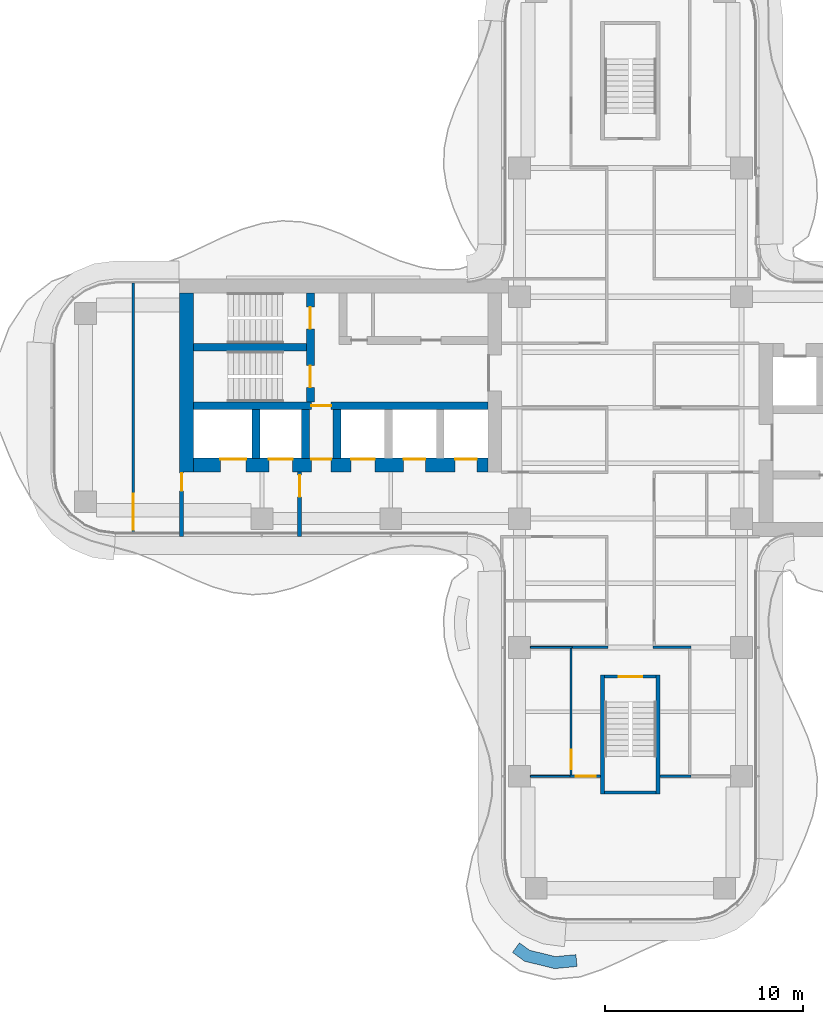
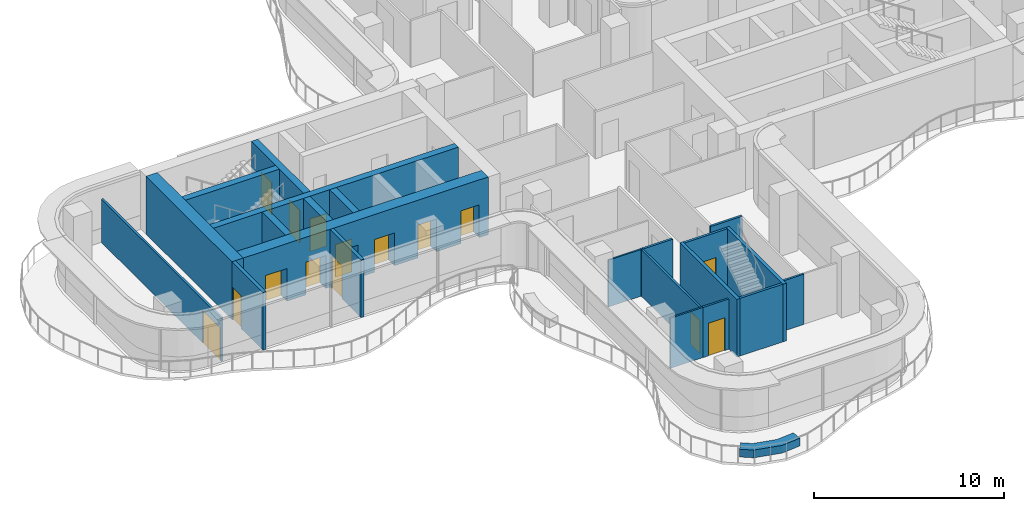
# One storey, part 14 of 19: 23 walls, 15 doors, 15 openings.
"""IFC4 building model written with IfcOpenShell, lengths in metres."""

import ifcopenshell
import ifcopenshell.guid

model = None  # the IFC model being written
_history = None  # IfcOwnerHistory: only IFC2X3 demands one
_inside = {}  # id of a spatial element -> (the spatial element, [elements in it])
_under = {}  # id of a project, library or spatial element -> (it, [spatial elements below it])
_declared = {}  # id of a project -> (the project, [libraries it declares])
_typed = {}  # id of a type object -> (the type object, [elements of that type])
_made_of = {}  # id of a material, layer set ... -> (it, [elements and type objects made of it])


def new_model(schema):
    """Start an empty IFC model of exactly this schema.

    Asked for "IFC4X3", IfcOpenShell would pick the latest addendum, in which some entities
    have other attributes; the version numbers below select the first issue.
    IFC2X3 requires an IfcOwnerHistory on every rooted entity: one is made here for all.
    """
    global model, _history
    if schema == "IFC4X3":
        model = ifcopenshell.file(schema_version=(4, 3, 0, 0))
    else:
        model = ifcopenshell.file(schema=schema)
    _inside.clear()
    _under.clear()
    _declared.clear()
    _typed.clear()
    _made_of.clear()
    _history = None
    if model.schema == "IFC2X3":
        org = make("IfcOrganization", Name="unknown")
        user = make(
            "IfcPersonAndOrganization",
            ThePerson=make("IfcPerson", FamilyName="unknown"),
            TheOrganization=org,
        )
        app = make(
            "IfcApplication",
            ApplicationDeveloper=org,
            Version="unknown",
            ApplicationFullName="unknown",
            ApplicationIdentifier="unknown",
        )
        _history = make(
            "IfcOwnerHistory",
            OwningUser=user,
            OwningApplication=app,
            ChangeAction="ADDED",
            CreationDate=0,
        )
    return model


def make(cls, **values):
    """One entity of the class cls with the attributes given. An attribute that is None is left unset."""
    return model.create_entity(
        cls, **{name: value for name, value in values.items() if value is not None}
    )


def rooted(cls, **values):
    """An entity with a GlobalId (a new one), such as an element, a storey or a relation."""
    return make(cls, GlobalId=ifcopenshell.guid.new(), OwnerHistory=_history, **values)


def si_unit(unit_type, name, prefix=None):
    """IfcSIUnit, for example si_unit("LENGTHUNIT", "METRE", prefix="MILLI")."""
    return make("IfcSIUnit", UnitType=unit_type, Prefix=prefix, Name=name)


def assignment(units):
    """IfcUnitAssignment: the units of a project."""
    return None if units is None else make("IfcUnitAssignment", Units=units)


def point(xyz):
    """IfcCartesianPoint."""
    return None if xyz is None else make("IfcCartesianPoint", Coordinates=xyz)


def direction(xyz):
    """IfcDirection."""
    return None if xyz is None else make("IfcDirection", DirectionRatios=xyz)


def frame(location, z_axis=None, x_axis=None):
    """IfcAxis2Placement3D, a coordinate frame: its origin and axes. An axis left out is left unset."""
    return make(
        "IfcAxis2Placement3D",
        Location=point(location),
        Axis=direction(z_axis),
        RefDirection=direction(x_axis),
    )


def frame_2d(location, x_axis=None):
    """IfcAxis2Placement2D, a coordinate frame in the plane: its origin and x axis."""
    return make(
        "IfcAxis2Placement2D", Location=point(location), RefDirection=direction(x_axis)
    )


def origin():
    """The frame at (0, 0, 0) with its axes left unset."""
    return frame((0.0, 0.0, 0.0))


def place(relative_to, where):
    """IfcLocalPlacement: puts the frame where relative to a parent placement (None: the world)."""
    return make(
        "IfcLocalPlacement", PlacementRelTo=relative_to, RelativePlacement=where
    )


def context(
    kind, dimensions, precision=None, world=None, true_north=None, identifier=None
):
    """IfcGeometricRepresentationContext, for example the 3D "Model" context."""
    return make(
        "IfcGeometricRepresentationContext",
        ContextIdentifier=identifier,
        ContextType=kind,
        CoordinateSpaceDimension=dimensions,
        Precision=precision,
        WorldCoordinateSystem=world,
        TrueNorth=true_north,
    )


def subcontext(parent, identifier, kind, view, scale=None):
    """IfcGeometricRepresentationSubContext, for example "Body" below "Model"."""
    return make(
        "IfcGeometricRepresentationSubContext",
        ContextIdentifier=identifier,
        ContextType=kind,
        ParentContext=parent,
        TargetScale=scale,
        TargetView=view,
    )


def project(units=None, contexts=None):
    """IfcProject with its units and contexts."""
    return rooted(
        "IfcProject",
        Name="project",
        RepresentationContexts=contexts,
        UnitsInContext=assignment(units),
    )


def spatial(cls, under=None, at=None, **own):
    """A site, building, storey or space (cls), placed at a placement, below another one or the project."""
    s = rooted(cls, ObjectPlacement=at, **own)
    if under is not None:
        _under.setdefault(under.id(), (under, []))[1].append(s)
    return s


def polyline(points):
    """IfcPolyline through the points."""
    return make("IfcPolyline", Points=[point(p) for p in points])


def profile(cls, at=None, kind="AREA", **sizes):
    """A parametric profile (cls). Its sizes go by their IFC names, for example OverallWidth=200.0."""
    return make(cls, ProfileType=kind, Position=at, **sizes)


def rectangle(**sizes):
    """IfcRectangleProfileDef."""
    return profile("IfcRectangleProfileDef", **sizes)


def outline(outer, holes=None, kind="AREA"):
    """IfcArbitraryClosedProfileDef: a profile drawn as a closed curve; with holes, ...WithVoids."""
    if holes is None:
        return make("IfcArbitraryClosedProfileDef", ProfileType=kind, OuterCurve=outer)
    return make(
        "IfcArbitraryProfileDefWithVoids",
        ProfileType=kind,
        OuterCurve=outer,
        InnerCurves=holes,
    )


def extrude(swept, where, along, depth):
    """IfcExtrudedAreaSolid: the profile swept, set in the frame where, extruded along a direction by depth."""
    return make(
        "IfcExtrudedAreaSolid",
        SweptArea=swept,
        Position=where,
        ExtrudedDirection=direction(along),
        Depth=depth,
    )


def shape(context_of_items, identifier, shape_type, items):
    """IfcShapeRepresentation: the items that make up one representation, for example the "Body"."""
    return make(
        "IfcShapeRepresentation",
        ContextOfItems=context_of_items,
        RepresentationIdentifier=identifier,
        RepresentationType=shape_type,
        Items=items,
    )


def source(mapping_origin, context_of_items, identifier, shape_type, items):
    """IfcRepresentationMap: a shape defined once, which mapped items show again and again."""
    return make(
        "IfcRepresentationMap",
        MappingOrigin=mapping_origin,
        MappedRepresentation=shape(context_of_items, identifier, shape_type, items),
    )


def transform(
    local_origin,
    x_axis=None,
    y_axis=None,
    z_axis=None,
    scale=None,
    scale2=None,
    scale3=None,
    uniform=True,
):
    """IfcCartesianTransformationOperator3D, or its non-uniform kind. x_axis, y_axis, z_axis: its Axis1, 2, 3."""
    if uniform:
        return make(
            "IfcCartesianTransformationOperator3D",
            Axis1=direction(x_axis),
            Axis2=direction(y_axis),
            LocalOrigin=point(local_origin),
            Scale=scale,
            Axis3=direction(z_axis),
        )
    return make(
        "IfcCartesianTransformationOperator3DnonUniform",
        Axis1=direction(x_axis),
        Axis2=direction(y_axis),
        LocalOrigin=point(local_origin),
        Scale=scale,
        Axis3=direction(z_axis),
        Scale2=scale2,
        Scale3=scale3,
    )


def mapped(mapping_source, mapping_target):
    """IfcMappedItem: shows the shape of a source again, moved by a transform."""
    return make(
        "IfcMappedItem", MappingSource=mapping_source, MappingTarget=mapping_target
    )


def material(Name=None, Category=None):
    """IfcMaterial."""
    return make("IfcMaterial", Name=Name, Category=Category)


def layer(
    of_material, thickness, ventilated=None, Name=None, Category=None, Priority=None
):
    """IfcMaterialLayer: one layer of a wall or slab, of a material (None: an air gap)."""
    return make(
        "IfcMaterialLayer",
        Material=of_material,
        LayerThickness=thickness,
        IsVentilated=ventilated,
        Name=Name,
        Category=Category,
        Priority=Priority,
    )


def layer_set(layers, Name=None):
    """IfcMaterialLayerSet."""
    return make("IfcMaterialLayerSet", MaterialLayers=layers, LayerSetName=Name)


def made_of(thing, what):
    """Note that an element or type object is made of a material, layer set ...; save() writes the relation."""
    if what is not None:
        _made_of.setdefault(what.id(), (what, []))[1].append(thing)
    return thing


def type_object(cls, material=None, **own):
    """A type object (cls), such as IfcWallType, which elements share."""
    return made_of(rooted(cls, **own), material)


def element(
    cls,
    number,
    at=None,
    inside=None,
    cuts=None,
    type_object=None,
    material=None,
    context=None,
    identifier="Body",
    shape_type=None,
    held_by="IfcProductDefinitionShape",
    body=None,
    shapes=None,
    **own,
):
    """One element of the class cls, such as IfcWall. Its Tag is "e" and its number.

    at: its placement. inside: the storey or other place that contains it. cuts: it is an
    opening in that element (IfcRelVoidsElement). A single representation is given by context,
    identifier, shape_type and body (its items); several are given by shapes. held_by: the class
    of the entity that holds the representations. save() writes the other relations.
    """
    e = rooted(cls, Tag="e%d" % number, ObjectPlacement=at, **own)
    if body is not None:
        shapes = [shape(context, identifier, shape_type, body)]
    if shapes is not None:
        e.Representation = make(held_by, Representations=shapes)
    if inside is not None:
        _inside.setdefault(inside.id(), (inside, []))[1].append(e)
    if cuts is not None:
        rooted(
            "IfcRelVoidsElement", RelatingBuildingElement=cuts, RelatedOpeningElement=e
        )
    if type_object is not None:
        _typed.setdefault(type_object.id(), (type_object, []))[1].append(e)
    return made_of(e, material)


def fill(opening, filler):
    """IfcRelFillsElement: the door or window that sits in an opening."""
    return rooted(
        "IfcRelFillsElement",
        RelatingOpeningElement=opening,
        RelatedBuildingElement=filler,
    )


def aggregate(whole, parts):
    """IfcRelAggregates: a whole, such as a stair, and the parts it consists of."""
    return rooted("IfcRelAggregates", RelatingObject=whole, RelatedObjects=parts)


def save(model, path):
    """Write the relations noted so far, then the file.

    IfcRelAggregates (storeys below a building ...), IfcRelContainedInSpatialStructure (elements
    in a storey), IfcRelDefinesByType, IfcRelAssociatesMaterial and IfcRelDeclares: one each for
    every whole, place, type object, material and project.
    """
    for whole, parts in _under.values():
        aggregate(whole, parts)
    for where, things in _inside.values():
        rooted(
            "IfcRelContainedInSpatialStructure",
            RelatedElements=things,
            RelatingStructure=where,
        )
    for kind, things in _typed.values():
        rooted("IfcRelDefinesByType", RelatedObjects=things, RelatingType=kind)
    for what, things in _made_of.values():
        rooted("IfcRelAssociatesMaterial", RelatedObjects=things, RelatingMaterial=what)
    for by, libraries in _declared.values():
        rooted("IfcRelDeclares", RelatingContext=by, RelatedDefinitions=libraries)
    model.write(path)


model = new_model("IFC4")

# Units and contexts
model_context = context("Model", 3, precision=1e-05, world=origin(), true_north=direction((0.0, 1.0)))
body_context = subcontext(model_context, "Body", "Model", "MODEL_VIEW")
ifc_project = project(units=[si_unit("LENGTHUNIT", "METRE"), si_unit("AREAUNIT", "SQUARE_METRE"), si_unit("VOLUMEUNIT", "CUBIC_METRE"), si_unit("PLANEANGLEUNIT", "RADIAN"), si_unit("MASSUNIT", "GRAM", prefix="KILO")], contexts=[model_context])

# Site, building, storey
site_placement = place(None, origin())
site = spatial("IfcSite", under=ifc_project, at=site_placement, CompositionType="ELEMENT")
building_placement = place(site_placement, origin())
building = spatial("IfcBuilding", under=site, at=building_placement, Name="Trellis Farm Tower", CompositionType="ELEMENT")
storey_placement = place(building_placement, frame((0.0, 0.0, 228.5)))
storey = spatial("IfcBuildingStorey", under=building, at=storey_placement, Name="L50", CompositionType="ELEMENT", Elevation=228.5)

# Walls
ifc_material_1 = material(Name="Sandstone faced masonry planter", Category="masonry")
ifc_layer_1 = layer(ifc_material_1, 0.60009765625)
ifc_layer_set_1 = layer_set([ifc_layer_1], Name="PLANTER BED 600")
wall_type_1 = type_object("IfcWallType", Name="PLANTER BED 600", PredefinedType="USERDEFINED", material=ifc_layer_set_1)
wall_1_placement = place(storey_placement, origin())
element("IfcWall", 1, at=wall_1_placement, inside=storey, type_object=wall_type_1, Name="PLANTER bed", ObjectType="PLANTER", PredefinedType="USERDEFINED", context=body_context, shape_type="SweptSolid", body=[
    extrude(outline(polyline([(-5.34326171875, -27.935791015625), (-5.953857421875, -27.48974609375), (-5.599853515625, -27.00537109375), (-5.085205078125, -27.38134765625), (-3.786865234375, -27.69921875), (-2.752197265625, -27.601318359375), (-2.69580078125, -28.19873046875), (-3.831298828125, -28.305908203125), (-5.34326171875, -27.935791015625)])), origin(), (0.0, 0.0, 1.0), 0.5),
])
ifc_material_2 = material(Name="Concrete C60/75", Category="concrete")
ifc_layer_2 = layer(ifc_material_2, 0.699951171875)
ifc_layer_set_2 = layer_set([ifc_layer_2], Name="CORE OUTER WALL 700 CONCRETE C60/75")
wall_type_2 = type_object("IfcWallType", Name="CORE OUTER WALL 700 CONCRETE C60/75", PredefinedType="SHEAR", material=ifc_layer_set_2)
shared_shape_1 = source(origin(), body_context, "Body", "SweptSolid", [
    extrude(rectangle(XDim=9.050048828125, YDim=0.699951171875, at=frame_2d((4.52490234375, 0.0))), origin(), (0.0, 0.0, 1.0), 3.699951171875),
])
wall_2_placement = place(storey_placement, frame((-22.39990234375, 5.800048828125, 0.0), z_axis=(0.0, 0.0, 1.0), x_axis=(0.0, -1.0, 0.0)))
element("IfcWall", 2, at=wall_2_placement, inside=storey, type_object=wall_type_2, Name="Core wall", PredefinedType="SHEAR", context=body_context, shape_type="MappedRepresentation", body=[
    mapped(shared_shape_1, transform((0.0, 0.0, 0.0))),
])
ifc_layer_3 = layer(ifc_material_2, 0.39990234375)
ifc_layer_set_3 = layer_set([ifc_layer_3], Name="CORE INNER WALL 400 CONCRETE C60/75")
wall_type_3 = type_object("IfcWallType", Name="CORE INNER WALL 400 CONCRETE C60/75", PredefinedType="SHEAR", material=ifc_layer_set_3)
shared_shape_2 = source(origin(), body_context, "Body", "SweptSolid", [
    extrude(rectangle(XDim=2.449951171875, YDim=0.39990234375, at=frame_2d((1.22509765625, 0.0))), origin(), (0.0, 0.0, 1.0), 3.699951171875),
])
for number, where, z_axis, x_axis, name in (
    (3, (-14.800048828125, -0.10009765625, 0.0), (0.0, 0.0, 1.0), (0.0, -1.0, 0.0), "Core wall"),
    (4, (-16.39990234375, -0.10009765625, 0.0), (0.0, 0.0, 1.0), (0.0, -1.0, 0.0), "Core wall"),
    (5, (-18.89990234375, -0.10009765625, 0.0), (0.0, 0.0, 1.0), (0.0, -1.0, 0.0), "Core wall"),
):
    element("IfcWall", number, at=place(storey_placement, frame(where, z_axis=z_axis, x_axis=x_axis)), inside=storey, type_object=wall_type_3, Name=name, PredefinedType="SHEAR", context=body_context, shape_type="MappedRepresentation", body=[
        mapped(shared_shape_2, transform((0.0, 0.0, 0.0))),
    ])

# Wall, opening, door
ifc_material_3 = material(Name="Masonry blockwork", Category="masonry")
ifc_layer_4 = layer(ifc_material_3, 0.199951171875)
ifc_layer_set_4 = layer_set([ifc_layer_4], Name="FIRE LOBBY PARTITION 200 BLOCKWORK")
wall_type_4 = type_object("IfcWallType", Name="FIRE LOBBY PARTITION 200 BLOCKWORK", PredefinedType="PARTITIONING", material=ifc_layer_set_4)
shared_shape_3 = source(origin(), body_context, "Body", "SweptSolid", [
    extrude(rectangle(XDim=3.25, YDim=0.199951171875, at=frame_2d((1.625, 0.0))), origin(), (0.0, 0.0, 1.0), 3.699951171875),
])
wall_3_placement = place(storey_placement, frame((-16.699951171875, -3.25, 0.0), z_axis=(0.0, 0.0, 1.0), x_axis=(0.0, -1.0, 0.0)))
wall_3 = element("IfcWall", 6, at=wall_3_placement, inside=storey, type_object=wall_type_4, Name="Fire-fighting lobby partition", PredefinedType="PARTITIONING", context=body_context, shape_type="MappedRepresentation", body=[
    mapped(shared_shape_3, transform((0.0, 0.0, 0.0))),
])
shared_shape_4 = source(origin(), body_context, "Body", "SweptSolid", [
    extrude(rectangle(XDim=1.10009765625, YDim=2.10009765625, at=frame_2d((0.550048828125, 1.050048828125))), frame((0.0, 0.110107421875, 0.0), z_axis=(0.0, -1.0, 0.0), x_axis=(1.0, 0.0, 0.0)), (0.0, 0.0, 1.0), 0.22021484375),
])
opening_1_placement = place(wall_3_placement, frame((0.14990234375, 0.0, 0.0)))
opening_1 = element("IfcOpeningElement", 7, at=opening_1_placement, cuts=wall_3, Name="Opening DC93", PredefinedType="OPENING", context=body_context, shape_type="MappedRepresentation", body=[
    mapped(shared_shape_4, transform((0.0, 0.0, 0.0))),
])
ifc_material_4 = material(Name="Steel", Category="steel")
door_type_1 = type_object("IfcDoorType", Name="CORE FIRE DOOR 1100 X 2100", OperationType="NOTDEFINED", PredefinedType="DOOR", material=ifc_material_4)
shared_shape_5 = source(origin(), body_context, "Body", "SweptSolid", [
    extrude(rectangle(XDim=1.10009765625, YDim=2.10009765625, at=frame_2d((0.550048828125, 1.050048828125))), frame((0.0, 0.02490234375, 0.0), z_axis=(0.0, -1.0, 0.0), x_axis=(1.0, 0.0, 0.0)), (0.0, 0.0, 1.0), 0.050048828125),
])
door_1_placement = place(opening_1_placement, origin())
door_1 = element("IfcDoor", 8, at=door_1_placement, inside=storey, type_object=door_type_1, Name="Core door", OperationType="SINGLE_SWING_RIGHT", OverallHeight=2.10009765625, OverallWidth=1.10009765625, PredefinedType="DOOR", context=body_context, shape_type="MappedRepresentation", body=[
    mapped(shared_shape_5, transform((0.0, 0.0, 0.0))),
])
fill(opening_1, door_1)

wall_4_placement = place(storey_placement, frame((-22.64990234375, -3.25, 0.0), z_axis=(0.0, 0.0, 1.0), x_axis=(0.0, -1.0, 0.0)))
wall_4 = element("IfcWall", 9, at=wall_4_placement, inside=storey, type_object=wall_type_4, Name="Fire-fighting lobby partition", PredefinedType="PARTITIONING", context=body_context, shape_type="MappedRepresentation", body=[
    mapped(shared_shape_3, transform((0.0, 0.0, 0.0))),
])
shared_shape_6 = source(origin(), body_context, "Body", "SweptSolid", [
    extrude(rectangle(XDim=0.89990234375, YDim=2.10009765625, at=frame_2d((0.449951171875, 1.050048828125))), frame((0.0, 0.110107421875, 0.0), z_axis=(0.0, -1.0, 0.0), x_axis=(1.0, 0.0, 0.0)), (0.0, 0.0, 1.0), 0.22021484375),
])
opening_2_placement = place(wall_4_placement, frame((0.050048828125, 0.0, 0.0)))
opening_2 = element("IfcOpeningElement", 10, at=opening_2_placement, cuts=wall_4, Name="Opening DC94", PredefinedType="OPENING", context=body_context, shape_type="MappedRepresentation", body=[
    mapped(shared_shape_6, transform((0.0, 0.0, 0.0))),
])
door_type_2 = type_object("IfcDoorType", Name="CORE FIRE DOOR 900 X 2100", OperationType="NOTDEFINED", PredefinedType="DOOR", material=ifc_material_4)
shared_shape_7 = source(origin(), body_context, "Body", "SweptSolid", [
    extrude(rectangle(XDim=0.89990234375, YDim=2.10009765625, at=frame_2d((0.449951171875, 1.050048828125))), frame((0.0, 0.02490234375, 0.0), z_axis=(0.0, -1.0, 0.0), x_axis=(1.0, 0.0, 0.0)), (0.0, 0.0, 1.0), 0.050048828125),
])
door_2_placement = place(opening_2_placement, origin())
door_2 = element("IfcDoor", 11, at=door_2_placement, inside=storey, type_object=door_type_2, Name="Core door", OperationType="SINGLE_SWING_RIGHT", OverallHeight=2.10009765625, OverallWidth=0.89990234375, PredefinedType="DOOR", context=body_context, shape_type="MappedRepresentation", body=[
    mapped(shared_shape_7, transform((0.0, 0.0, 0.0))),
])
fill(opening_2, door_2)

# Wall, openings, doors
shared_shape_8 = source(origin(), body_context, "Body", "SweptSolid", [
    extrude(rectangle(XDim=14.85009765625, YDim=0.699951171875, at=frame_2d((7.425048828125, 0.0))), origin(), (0.0, 0.0, 1.0), 3.699951171875),
])
wall_5_placement = place(storey_placement, frame((-7.199951171875, -2.89990234375, 0.0), z_axis=(0.0, 0.0, 1.0), x_axis=(-1.0, 0.0, 0.0)))
wall_5 = element("IfcWall", 12, at=wall_5_placement, inside=storey, type_object=wall_type_2, Name="Core wall", PredefinedType="SHEAR", context=body_context, shape_type="MappedRepresentation", body=[
    mapped(shared_shape_8, transform((0.0, 0.0, 0.0))),
])
shared_shape_9 = source(origin(), body_context, "Body", "SweptSolid", [
    extrude(rectangle(XDim=1.10009765625, YDim=2.10009765625, at=frame_2d((0.550048828125, 1.050048828125))), frame((0.0, 0.360107421875, 0.0), z_axis=(0.0, -1.0, 0.0), x_axis=(1.0, 0.0, 0.0)), (0.0, 0.0, 1.0), 0.72021484375),
])
opening_3_placement = place(wall_5_placement, frame((0.550048828125, 0.0, 0.0)))
opening_3 = element("IfcOpeningElement", 13, at=opening_3_placement, cuts=wall_5, Name="Opening LD12", PredefinedType="OPENING", context=body_context, shape_type="MappedRepresentation", body=[
    mapped(shared_shape_9, transform((0.0, 0.0, 0.0))),
])
opening_4_placement = place(wall_5_placement, frame((3.14990234375, 0.0, 0.0)))
opening_4 = element("IfcOpeningElement", 14, at=opening_4_placement, cuts=wall_5, Name="Opening LD13", PredefinedType="OPENING", context=body_context, shape_type="MappedRepresentation", body=[
    mapped(shared_shape_9, transform((0.0, 0.0, 0.0))),
])
shared_shape_10 = source(origin(), body_context, "Body", "SweptSolid", [
    extrude(rectangle(XDim=1.199951171875, YDim=2.10009765625, at=frame_2d((0.60009765625, 1.050048828125))), frame((0.0, 0.360107421875, 0.0), z_axis=(0.0, -1.0, 0.0), x_axis=(1.0, 0.0, 0.0)), (0.0, 0.0, 1.0), 0.72021484375),
])
opening_5_placement = place(wall_5_placement, frame((5.699951171875, 0.0, 0.0)))
opening_5 = element("IfcOpeningElement", 15, at=opening_5_placement, cuts=wall_5, Name="Opening LD14", PredefinedType="OPENING", context=body_context, shape_type="MappedRepresentation", body=[
    mapped(shared_shape_10, transform((0.0, 0.0, 0.0))),
])
shared_shape_11 = source(origin(), body_context, "Body", "SweptSolid", [
    extrude(rectangle(XDim=1.300048828125, YDim=2.10009765625, at=frame_2d((0.64990234375, 1.050048828125))), frame((0.0, 0.360107421875, 0.0), z_axis=(0.0, -1.0, 0.0), x_axis=(1.0, 0.0, 0.0)), (0.0, 0.0, 1.0), 0.72021484375),
])
opening_6_placement = place(wall_5_placement, frame((12.199951171875, 0.0, 0.0)))
opening_6 = element("IfcOpeningElement", 16, at=opening_6_placement, cuts=wall_5, Name="Opening LD15", PredefinedType="OPENING", context=body_context, shape_type="MappedRepresentation", body=[
    mapped(shared_shape_11, transform((0.0, 0.0, 0.0))),
])
opening_7_placement = place(wall_5_placement, frame((9.85009765625, 0.0, 0.0)))
opening_7 = element("IfcOpeningElement", 17, at=opening_7_placement, cuts=wall_5, Name="Opening LD16", PredefinedType="OPENING", context=body_context, shape_type="MappedRepresentation", body=[
    mapped(shared_shape_10, transform((0.0, 0.0, 0.0))),
])
shared_shape_12 = source(origin(), body_context, "Body", "SweptSolid", [
    extrude(rectangle(XDim=1.0, YDim=2.10009765625, at=frame_2d((0.5, 1.050048828125))), frame((0.0, 0.360107421875, 0.0), z_axis=(0.0, -1.0, 0.0), x_axis=(1.0, 0.0, 0.0)), (0.0, 0.0, 1.0), 0.72021484375),
])
opening_8_placement = place(wall_5_placement, frame((7.89990234375, 0.0, 0.0)))
opening_8 = element("IfcOpeningElement", 18, at=opening_8_placement, cuts=wall_5, Name="Opening DC92", PredefinedType="OPENING", context=body_context, shape_type="MappedRepresentation", body=[
    mapped(shared_shape_12, transform((0.0, 0.0, 0.0))),
])
door_type_3 = type_object("IfcDoorType", Name="CORE FIRE DOOR 1000 X 2100", OperationType="NOTDEFINED", PredefinedType="DOOR", material=ifc_material_4)
shared_shape_13 = source(origin(), body_context, "Body", "SweptSolid", [
    extrude(rectangle(XDim=1.0, YDim=2.10009765625, at=frame_2d((0.5, 1.050048828125))), frame((0.0, -0.27490234375, 0.0), z_axis=(0.0, -1.0, 0.0), x_axis=(1.0, 0.0, 0.0)), (0.0, 0.0, 1.0), 0.050048828125),
])
door_3_placement = place(opening_8_placement, origin())
door_3 = element("IfcDoor", 19, at=door_3_placement, inside=storey, type_object=door_type_3, Name="Core door", OperationType="SINGLE_SWING_LEFT", OverallHeight=2.10009765625, OverallWidth=1.0, PredefinedType="DOOR", context=body_context, shape_type="MappedRepresentation", body=[
    mapped(shared_shape_13, transform((0.0, 0.0, 0.0))),
])
fill(opening_8, door_3)
ifc_material_5 = material(Name="Stainless steel", Category="steel")
door_type_4 = type_object("IfcDoorType", Name="LIFT LANDING DOOR 1300 X 2100", OperationType="DOUBLE_DOOR_SLIDING", PredefinedType="DOOR", material=ifc_material_5)
shared_shape_14 = source(origin(), body_context, "Body", "SweptSolid", [
    extrude(rectangle(XDim=1.300048828125, YDim=2.10009765625, at=frame_2d((0.64990234375, 1.050048828125))), frame((0.0, -0.27490234375, 0.0), z_axis=(0.0, -1.0, 0.0), x_axis=(1.0, 0.0, 0.0)), (0.0, 0.0, 1.0), 0.050048828125),
])
door_4_placement = place(opening_6_placement, origin())
door_4 = element("IfcDoor", 20, at=door_4_placement, inside=storey, type_object=door_type_4, Name="Lift landing door", OperationType="DOUBLE_DOOR_SLIDING", OverallHeight=2.10009765625, OverallWidth=1.300048828125, PredefinedType="DOOR", context=body_context, shape_type="MappedRepresentation", body=[
    mapped(shared_shape_14, transform((0.0, 0.0, 0.0))),
])
fill(opening_6, door_4)
door_type_5 = type_object("IfcDoorType", Name="LIFT LANDING DOOR 1200 X 2100", OperationType="DOUBLE_DOOR_SLIDING", PredefinedType="DOOR", material=ifc_material_5)
shared_shape_15 = source(origin(), body_context, "Body", "SweptSolid", [
    extrude(rectangle(XDim=1.199951171875, YDim=2.10009765625, at=frame_2d((0.60009765625, 1.050048828125))), frame((0.0, -0.27490234375, 0.0), z_axis=(0.0, -1.0, 0.0), x_axis=(1.0, 0.0, 0.0)), (0.0, 0.0, 1.0), 0.050048828125),
])
door_5_placement = place(opening_5_placement, origin())
door_5 = element("IfcDoor", 21, at=door_5_placement, inside=storey, type_object=door_type_5, Name="Lift landing door", OperationType="DOUBLE_DOOR_SLIDING", OverallHeight=2.10009765625, OverallWidth=1.199951171875, PredefinedType="DOOR", context=body_context, shape_type="MappedRepresentation", body=[
    mapped(shared_shape_15, transform((0.0, 0.0, 0.0))),
])
fill(opening_5, door_5)
door_6_placement = place(opening_7_placement, origin())
door_6 = element("IfcDoor", 22, at=door_6_placement, inside=storey, type_object=door_type_5, Name="Lift landing door", OperationType="DOUBLE_DOOR_SLIDING", OverallHeight=2.10009765625, OverallWidth=1.199951171875, PredefinedType="DOOR", context=body_context, shape_type="MappedRepresentation", body=[
    mapped(shared_shape_15, transform((0.0, 0.0, 0.0))),
])
fill(opening_7, door_6)
door_type_6 = type_object("IfcDoorType", Name="LIFT LANDING DOOR 1100 X 2100", OperationType="DOUBLE_DOOR_SLIDING", PredefinedType="DOOR", material=ifc_material_5)
shared_shape_16 = source(origin(), body_context, "Body", "SweptSolid", [
    extrude(rectangle(XDim=1.10009765625, YDim=2.10009765625, at=frame_2d((0.550048828125, 1.050048828125))), frame((0.0, -0.27490234375, 0.0), z_axis=(0.0, -1.0, 0.0), x_axis=(1.0, 0.0, 0.0)), (0.0, 0.0, 1.0), 0.050048828125),
])
door_7_placement = place(opening_3_placement, origin())
door_7 = element("IfcDoor", 23, at=door_7_placement, inside=storey, type_object=door_type_6, Name="Lift landing door", OperationType="DOUBLE_DOOR_SLIDING", OverallHeight=2.10009765625, OverallWidth=1.10009765625, PredefinedType="DOOR", context=body_context, shape_type="MappedRepresentation", body=[
    mapped(shared_shape_16, transform((0.0, 0.0, 0.0))),
])
fill(opening_3, door_7)
door_8_placement = place(opening_4_placement, origin())
door_8 = element("IfcDoor", 24, at=door_8_placement, inside=storey, type_object=door_type_6, Name="Lift landing door", OperationType="DOUBLE_DOOR_SLIDING", OverallHeight=2.10009765625, OverallWidth=1.10009765625, PredefinedType="DOOR", context=body_context, shape_type="MappedRepresentation", body=[
    mapped(shared_shape_16, transform((0.0, 0.0, 0.0))),
])
fill(opening_4, door_8)

# Wall, opening, door
shared_shape_17 = source(origin(), body_context, "Body", "SweptSolid", [
    extrude(rectangle(XDim=14.85009765625, YDim=0.39990234375, at=frame_2d((7.425048828125, 0.0))), origin(), (0.0, 0.0, 1.0), 3.699951171875),
])
wall_6_placement = place(storey_placement, frame((-7.199951171875, 0.10009765625, 0.0), z_axis=(0.0, 0.0, 1.0), x_axis=(-1.0, 0.0, 0.0)))
wall_6 = element("IfcWall", 25, at=wall_6_placement, inside=storey, type_object=wall_type_3, Name="Core wall", PredefinedType="SHEAR", context=body_context, shape_type="MappedRepresentation", body=[
    mapped(shared_shape_17, transform((0.0, 0.0, 0.0))),
])
shared_shape_18 = source(origin(), body_context, "Body", "SweptSolid", [
    extrude(rectangle(XDim=1.0, YDim=2.10009765625, at=frame_2d((0.5, 1.050048828125))), frame((0.0, 0.2099609375, 0.0), z_axis=(0.0, -1.0, 0.0), x_axis=(1.0, 0.0, 0.0)), (0.0, 0.0, 1.0), 0.419921875),
])
opening_9_placement = place(wall_6_placement, frame((7.89990234375, 0.0, 0.0)))
opening_9 = element("IfcOpeningElement", 26, at=opening_9_placement, cuts=wall_6, Name="Opening DC91", PredefinedType="OPENING", context=body_context, shape_type="MappedRepresentation", body=[
    mapped(shared_shape_18, transform((0.0, 0.0, 0.0))),
])
shared_shape_19 = source(origin(), body_context, "Body", "SweptSolid", [
    extrude(rectangle(XDim=1.0, YDim=2.10009765625, at=frame_2d((0.5, 1.050048828125))), frame((0.0, 0.02490234375, 0.0), z_axis=(0.0, -1.0, 0.0), x_axis=(1.0, 0.0, 0.0)), (0.0, 0.0, 1.0), 0.050048828125),
])
door_9_placement = place(opening_9_placement, origin())
door_9 = element("IfcDoor", 27, at=door_9_placement, inside=storey, type_object=door_type_3, Name="Core door", OperationType="SINGLE_SWING_RIGHT", OverallHeight=2.10009765625, OverallWidth=1.0, PredefinedType="DOOR", context=body_context, shape_type="MappedRepresentation", body=[
    mapped(shared_shape_19, transform((0.0, 0.0, 0.0))),
])
fill(opening_9, door_9)

# Wall, openings, doors
shared_shape_20 = source(origin(), body_context, "Body", "SweptSolid", [
    extrude(rectangle(XDim=5.5, YDim=0.39990234375, at=frame_2d((2.75, 0.0))), origin(), (0.0, 0.0, 1.0), 3.699951171875),
])
wall_7_placement = place(storey_placement, frame((-16.14990234375, 5.800048828125, 0.0), z_axis=(0.0, 0.0, 1.0), x_axis=(0.0, -1.0, 0.0)))
wall_7 = element("IfcWall", 28, at=wall_7_placement, inside=storey, type_object=wall_type_3, Name="Core wall", PredefinedType="SHEAR", context=body_context, shape_type="MappedRepresentation", body=[
    mapped(shared_shape_20, transform((0.0, 0.0, 0.0))),
])
shared_shape_21 = source(origin(), body_context, "Body", "SweptSolid", [
    extrude(rectangle(XDim=1.10009765625, YDim=2.10009765625, at=frame_2d((0.550048828125, 1.050048828125))), frame((0.0, 0.2099609375, 0.0), z_axis=(0.0, -1.0, 0.0), x_axis=(1.0, 0.0, 0.0)), (0.0, 0.0, 1.0), 0.419921875),
])
opening_10_placement = place(wall_7_placement, frame((0.72509765625, 0.0, 0.0)))
opening_10 = element("IfcOpeningElement", 29, at=opening_10_placement, cuts=wall_7, Name="Opening DC88", PredefinedType="OPENING", context=body_context, shape_type="MappedRepresentation", body=[
    mapped(shared_shape_21, transform((0.0, 0.0, 0.0))),
])
opening_11_placement = place(wall_7_placement, frame((3.675048828125, 0.0, 0.0)))
opening_11 = element("IfcOpeningElement", 30, at=opening_11_placement, cuts=wall_7, Name="Opening DC89", PredefinedType="OPENING", context=body_context, shape_type="MappedRepresentation", body=[
    mapped(shared_shape_21, transform((0.0, 0.0, 0.0))),
])
door_10_placement = place(opening_10_placement, origin())
door_10 = element("IfcDoor", 31, at=door_10_placement, inside=storey, type_object=door_type_1, Name="Core door", OperationType="SINGLE_SWING_RIGHT", OverallHeight=2.10009765625, OverallWidth=1.10009765625, PredefinedType="DOOR", context=body_context, shape_type="MappedRepresentation", body=[
    mapped(shared_shape_5, transform((0.0, 0.0, 0.0))),
])
fill(opening_10, door_10)
door_11_placement = place(opening_11_placement, origin())
door_11 = element("IfcDoor", 32, at=door_11_placement, inside=storey, type_object=door_type_1, Name="Core door", OperationType="SINGLE_SWING_LEFT", OverallHeight=2.10009765625, OverallWidth=1.10009765625, PredefinedType="DOOR", context=body_context, shape_type="MappedRepresentation", body=[
    mapped(shared_shape_5, transform((0.0, 0.0, 0.0))),
])
fill(opening_11, door_11)

# Walls
shared_shape_22 = source(origin(), body_context, "Body", "SweptSolid", [
    extrude(rectangle(XDim=5.699951171875, YDim=0.39990234375, at=frame_2d((2.85009765625, 0.0))), origin(), (0.0, 0.0, 1.0), 3.699951171875),
])
wall_8_placement = place(storey_placement, frame((-16.35009765625, 3.050048828125, 0.0), z_axis=(0.0, 0.0, 1.0), x_axis=(-1.0, 0.0, 0.0)))
element("IfcWall", 33, at=wall_8_placement, inside=storey, type_object=wall_type_3, Name="Core wall", PredefinedType="SHEAR", context=body_context, shape_type="MappedRepresentation", body=[
    mapped(shared_shape_22, transform((0.0, 0.0, 0.0))),
])
ifc_layer_5 = layer(ifc_material_2, 0.199951171875)
ifc_layer_set_5 = layer_set([ifc_layer_5], Name="CORE STAIR ENCLOSURE WALL 200 CONCRETE C60/75")
wall_type_5 = type_object("IfcWallType", Name="CORE STAIR ENCLOSURE WALL 200 CONCRETE C60/75", PredefinedType="SHEAR", material=ifc_layer_set_5)
shared_shape_23 = source(origin(), body_context, "Body", "SweptSolid", [
    extrude(rectangle(XDim=6.0, YDim=0.199951171875, at=frame_2d((3.0, 0.0))), origin(), (0.0, 0.0, 1.0), 3.699951171875),
])
for number, where, z_axis, x_axis, name in (
    (34, (1.39990234375, -13.5, 0.0), (0.0, 0.0, 1.0), (0.0, -1.0, 0.0), "Stair enclosure wall"),
    (35, (-1.39990234375, -13.5, 0.0), (0.0, 0.0, 1.0), (0.0, -1.0, 0.0), "Stair enclosure wall"),
):
    element("IfcWall", number, at=place(storey_placement, frame(where, z_axis=z_axis, x_axis=x_axis)), inside=storey, type_object=wall_type_5, Name=name, PredefinedType="SHEAR", context=body_context, shape_type="MappedRepresentation", body=[
        mapped(shared_shape_23, transform((0.0, 0.0, 0.0))),
    ])

# Wall, opening, door
ifc_layer_6 = layer(ifc_material_2, 0.14990234375)
ifc_layer_set_6 = layer_set([ifc_layer_6], Name="CORE STAIR ENCLOSURE WALL 150 CONCRETE C60/75")
wall_type_6 = type_object("IfcWallType", Name="CORE STAIR ENCLOSURE WALL 150 CONCRETE C60/75", PredefinedType="SHEAR", material=ifc_layer_set_6)
shared_shape_24 = source(origin(), body_context, "Body", "SweptSolid", [
    extrude(rectangle(XDim=2.60009765625, YDim=0.14990234375, at=frame_2d((1.300048828125, 0.0))), origin(), (0.0, 0.0, 1.0), 3.699951171875),
])
wall_9_placement = place(storey_placement, frame((1.300048828125, -13.574951171875, 0.0), z_axis=(0.0, 0.0, 1.0), x_axis=(-1.0, 0.0, 0.0)))
wall_9 = element("IfcWall", 36, at=wall_9_placement, inside=storey, type_object=wall_type_6, Name="Stair enclosure wall", PredefinedType="SHEAR", context=body_context, shape_type="MappedRepresentation", body=[
    mapped(shared_shape_24, transform((0.0, 0.0, 0.0))),
])
shared_shape_25 = source(origin(), body_context, "Body", "SweptSolid", [
    extrude(rectangle(XDim=1.199951171875, YDim=2.10009765625, at=frame_2d((0.60009765625, 1.050048828125))), frame((0.0, 0.0849609375, 0.0), z_axis=(0.0, -1.0, 0.0), x_axis=(1.0, 0.0, 0.0)), (0.0, 0.0, 1.0), 0.169921875),
])
opening_12_placement = place(wall_9_placement, frame((0.699951171875, 0.0, 0.0)))
opening_12 = element("IfcOpeningElement", 37, at=opening_12_placement, cuts=wall_9, Name="Opening DC174", PredefinedType="OPENING", context=body_context, shape_type="MappedRepresentation", body=[
    mapped(shared_shape_25, transform((0.0, 0.0, 0.0))),
])
door_type_7 = type_object("IfcDoorType", Name="CORE FIRE DOOR 1200 X 2100", OperationType="NOTDEFINED", PredefinedType="DOOR", material=ifc_material_4)
shared_shape_26 = source(origin(), body_context, "Body", "SweptSolid", [
    extrude(rectangle(XDim=1.199951171875, YDim=2.10009765625, at=frame_2d((0.60009765625, 1.050048828125))), frame((0.0, 0.02490234375, 0.0), z_axis=(0.0, -1.0, 0.0), x_axis=(1.0, 0.0, 0.0)), (0.0, 0.0, 1.0), 0.050048828125),
])
door_12_placement = place(opening_12_placement, origin())
door_12 = element("IfcDoor", 38, at=door_12_placement, inside=storey, type_object=door_type_7, Name="Core door", OperationType="SINGLE_SWING_RIGHT", OverallHeight=2.10009765625, OverallWidth=1.199951171875, PredefinedType="DOOR", context=body_context, shape_type="MappedRepresentation", body=[
    mapped(shared_shape_26, transform((0.0, 0.0, 0.0))),
])
fill(opening_12, door_12)

# Wall
wall_10_placement = place(storey_placement, frame((1.300048828125, -19.425048828125, 0.0), z_axis=(0.0, 0.0, 1.0), x_axis=(-1.0, 0.0, 0.0)))
element("IfcWall", 39, at=wall_10_placement, inside=storey, type_object=wall_type_6, Name="Stair enclosure wall", PredefinedType="SHEAR", context=body_context, shape_type="MappedRepresentation", body=[
    mapped(shared_shape_24, transform((0.0, 0.0, 0.0))),
])

# Wall, opening, door
ifc_material_6 = material(Name="Plasterboard on steel studs, mineral wool", Category="steel")
ifc_layer_7 = layer(ifc_material_6, 0.125)
ifc_layer_set_7 = layer_set([ifc_layer_7], Name="PARTITION 125 STUD EI 60")
wall_type_7 = type_object("IfcWallType", Name="PARTITION 125 STUD EI 60", PredefinedType="PARTITIONING", material=ifc_layer_set_7)
shared_shape_27 = source(origin(), body_context, "Body", "SweptSolid", [
    extrude(rectangle(XDim=12.60009765625, YDim=0.125, at=frame_2d((6.300048828125, 0.0))), origin(), (0.0, 0.0, 1.0), 2.780029296875),
])
wall_11_placement = place(storey_placement, frame((-25.10009765625, -6.300048828125, 0.0), z_axis=(0.0, 0.0, 1.0), x_axis=(0.0, 1.0, 0.0)))
wall_11 = element("IfcWall", 40, at=wall_11_placement, inside=storey, type_object=wall_type_7, Name="Partition PW1", PredefinedType="PARTITIONING", context=body_context, shape_type="MappedRepresentation", body=[
    mapped(shared_shape_27, transform((0.0, 0.0, 0.0))),
])
shared_shape_28 = source(origin(), body_context, "Body", "SweptSolid", [
    extrude(rectangle(XDim=1.800048828125, YDim=2.10009765625, at=frame_2d((0.89990234375, 1.050048828125))), frame((0.0, 0.072509765625, 0.0), z_axis=(0.0, -1.0, 0.0), x_axis=(1.0, 0.0, 0.0)), (0.0, 0.0, 1.0), 0.14501953125),
])
opening_13_placement = place(wall_11_placement, frame((0.14990234375, 0.0, 0.0)))
opening_13 = element("IfcOpeningElement", 41, at=opening_13_placement, cuts=wall_11, Name="Opening D201", PredefinedType="OPENING", context=body_context, shape_type="MappedRepresentation", body=[
    mapped(shared_shape_28, transform((0.0, 0.0, 0.0))),
])
ifc_material_7 = material(Name="Fire-rated timber door leaf in a hollow metal frame", Category="wood")
door_type_8 = type_object("IfcDoorType", Name="DOOR PAIR 1800x2100 FD30S", OperationType="NOTDEFINED", PredefinedType="DOOR", material=ifc_material_7)
shared_shape_29 = source(origin(), body_context, "Body", "SweptSolid", [
    extrude(rectangle(XDim=1.800048828125, YDim=2.10009765625, at=frame_2d((0.89990234375, 1.050048828125))), frame((0.0, 0.02490234375, 0.0), z_axis=(0.0, -1.0, 0.0), x_axis=(1.0, 0.0, 0.0)), (0.0, 0.0, 1.0), 0.050048828125),
])
door_13_placement = place(opening_13_placement, origin())
door_13 = element("IfcDoor", 42, at=door_13_placement, inside=storey, type_object=door_type_8, Name="Door D201", OperationType="DOUBLE_DOOR_SINGLE_SWING", OverallHeight=2.10009765625, OverallWidth=1.800048828125, PredefinedType="DOOR", context=body_context, shape_type="MappedRepresentation", body=[
    mapped(shared_shape_29, transform((0.0, 0.0, 0.0))),
])
fill(opening_13, door_13)

shared_shape_30 = source(origin(), body_context, "Body", "SweptSolid", [
    extrude(rectangle(XDim=1.5625, YDim=0.125, at=frame_2d((0.78125, 0.0))), origin(), (0.0, 0.0, 1.0), 3.222900390625),
])
wall_12_placement = place(storey_placement, frame((-1.5, -18.60009765625, 0.0), z_axis=(0.0, 0.0, 1.0), x_axis=(-1.0, 0.0, 0.0)))
wall_12 = element("IfcWall", 43, at=wall_12_placement, inside=storey, type_object=wall_type_7, Name="Partition PW1", PredefinedType="PARTITIONING", context=body_context, shape_type="MappedRepresentation", body=[
    mapped(shared_shape_30, transform((0.0, 0.0, 0.0))),
])
shared_shape_31 = source(origin(), body_context, "Body", "SweptSolid", [
    extrude(rectangle(XDim=1.0, YDim=2.10009765625, at=frame_2d((0.5, 1.050048828125))), frame((0.0, 0.072509765625, 0.0), z_axis=(0.0, -1.0, 0.0), x_axis=(1.0, 0.0, 0.0)), (0.0, 0.0, 1.0), 0.14501953125),
])
opening_14_placement = place(wall_12_placement, frame((0.25, 0.0, 0.0)))
opening_14 = element("IfcOpeningElement", 44, at=opening_14_placement, cuts=wall_12, Name="Opening D101", PredefinedType="OPENING", context=body_context, shape_type="MappedRepresentation", body=[
    mapped(shared_shape_31, transform((0.0, 0.0, 0.0))),
])
door_type_9 = type_object("IfcDoorType", Name="DOOR 1000x2100 FD30S", OperationType="NOTDEFINED", PredefinedType="DOOR", material=ifc_material_7)
door_14_placement = place(opening_14_placement, origin())
door_14 = element("IfcDoor", 45, at=door_14_placement, inside=storey, type_object=door_type_9, Name="Door D101", OperationType="SINGLE_SWING_LEFT", OverallHeight=2.10009765625, OverallWidth=1.0, PredefinedType="DOOR", context=body_context, shape_type="MappedRepresentation", body=[
    mapped(shared_shape_19, transform((0.0, 0.0, 0.0))),
])
fill(opening_14, door_14)

# Wall
wall_13_placement = place(storey_placement, frame((3.0625, -18.60009765625, 0.0), z_axis=(0.0, 0.0, 1.0), x_axis=(-1.0, 0.0, 0.0)))
element("IfcWall", 46, at=wall_13_placement, inside=storey, type_object=wall_type_7, Name="Partition PW1", PredefinedType="PARTITIONING", context=body_context, shape_type="MappedRepresentation", body=[
    mapped(shared_shape_30, transform((0.0, 0.0, 0.0))),
])

# Wall, opening, door
shared_shape_32 = source(origin(), body_context, "Body", "SweptSolid", [
    extrude(rectangle(XDim=6.400146484375, YDim=0.125, at=frame_2d((3.2001953125, 0.0))), origin(), (0.0, 0.0, 1.0), 2.99658203125),
])
wall_14_placement = place(storey_placement, frame((-3.0, -18.550048828125, 0.0), z_axis=(0.0, 0.0, 1.0), x_axis=(0.0, 1.0, 0.0)))
wall_14 = element("IfcWall", 47, at=wall_14_placement, inside=storey, type_object=wall_type_7, Name="Partition PW1", PredefinedType="PARTITIONING", context=body_context, shape_type="MappedRepresentation", body=[
    mapped(shared_shape_32, transform((0.0, 0.0, 0.0))),
])
opening_15_placement = place(wall_14_placement, frame((0.300048828125, 0.0, 0.0)))
opening_15 = element("IfcOpeningElement", 48, at=opening_15_placement, cuts=wall_14, Name="Opening D102", PredefinedType="OPENING", context=body_context, shape_type="MappedRepresentation", body=[
    mapped(shared_shape_31, transform((0.0, 0.0, 0.0))),
])
door_15_placement = place(opening_15_placement, origin())
door_15 = element("IfcDoor", 49, at=door_15_placement, inside=storey, type_object=door_type_9, Name="Door D102", OperationType="SINGLE_SWING_LEFT", OverallHeight=2.10009765625, OverallWidth=1.0, PredefinedType="DOOR", context=body_context, shape_type="MappedRepresentation", body=[
    mapped(shared_shape_19, transform((0.0, 0.0, 0.0))),
])
fill(opening_15, door_15)

# Walls
shared_shape_33 = source(origin(), body_context, "Body", "SweptSolid", [
    extrude(rectangle(XDim=1.925048828125, YDim=0.125, at=frame_2d((0.96240234375, 0.0))), origin(), (0.0, 0.0, 1.0), 2.99658203125),
])
for number, where, z_axis, x_axis, name in (
    (50, (-3.0625, -12.10009765625, 0.0), (0.0, 0.0, 1.0), (1.0, 0.0, 0.0), "Partition PW1"),
    (51, (1.137451171875, -12.10009765625, 0.0), (0.0, 0.0, 1.0), (1.0, 0.0, 0.0), "Partition PW1"),
):
    element("IfcWall", number, at=place(storey_placement, frame(where, z_axis=z_axis, x_axis=x_axis)), inside=storey, type_object=wall_type_7, Name=name, PredefinedType="PARTITIONING", context=body_context, shape_type="MappedRepresentation", body=[
        mapped(shared_shape_33, transform((0.0, 0.0, 0.0))),
    ])
ifc_material_8 = material(Name="Plasterboard on steel studs", Category="steel")
ifc_layer_8 = layer(ifc_material_8, 0.10009765625)
ifc_layer_set_8 = layer_set([ifc_layer_8], Name="PARTITION 100 STUD EI 30")
wall_type_8 = type_object("IfcWallType", Name="PARTITION 100 STUD EI 30", PredefinedType="PARTITIONING", material=ifc_layer_set_8)
shared_shape_34 = source(origin(), body_context, "Body", "SweptSolid", [
    extrude(rectangle(XDim=2.112548828125, YDim=0.10009765625, at=frame_2d((1.05615234375, 0.0))), origin(), (0.0, 0.0, 1.0), 3.222900390625),
])
wall_15_placement = place(storey_placement, frame((-5.050048828125, -18.60009765625, 0.0), z_axis=(0.0, 0.0, 1.0), x_axis=(1.0, 0.0, 0.0)))
element("IfcWall", 52, at=wall_15_placement, inside=storey, type_object=wall_type_8, Name="Partition PW2", PredefinedType="PARTITIONING", context=body_context, shape_type="MappedRepresentation", body=[
    mapped(shared_shape_34, transform((0.0, 0.0, 0.0))),
])
shared_shape_35 = source(origin(), body_context, "Body", "SweptSolid", [
    extrude(rectangle(XDim=2.112548828125, YDim=0.10009765625, at=frame_2d((1.05615234375, 0.0))), origin(), (0.0, 0.0, 1.0), 2.99658203125),
])
wall_16_placement = place(storey_placement, frame((-5.050048828125, -12.10009765625, 0.0), z_axis=(0.0, 0.0, 1.0), x_axis=(1.0, 0.0, 0.0)))
element("IfcWall", 53, at=wall_16_placement, inside=storey, type_object=wall_type_8, Name="Partition PW2", PredefinedType="PARTITIONING", context=body_context, shape_type="MappedRepresentation", body=[
    mapped(shared_shape_35, transform((0.0, 0.0, 0.0))),
])

save(model, "model.ifc")
